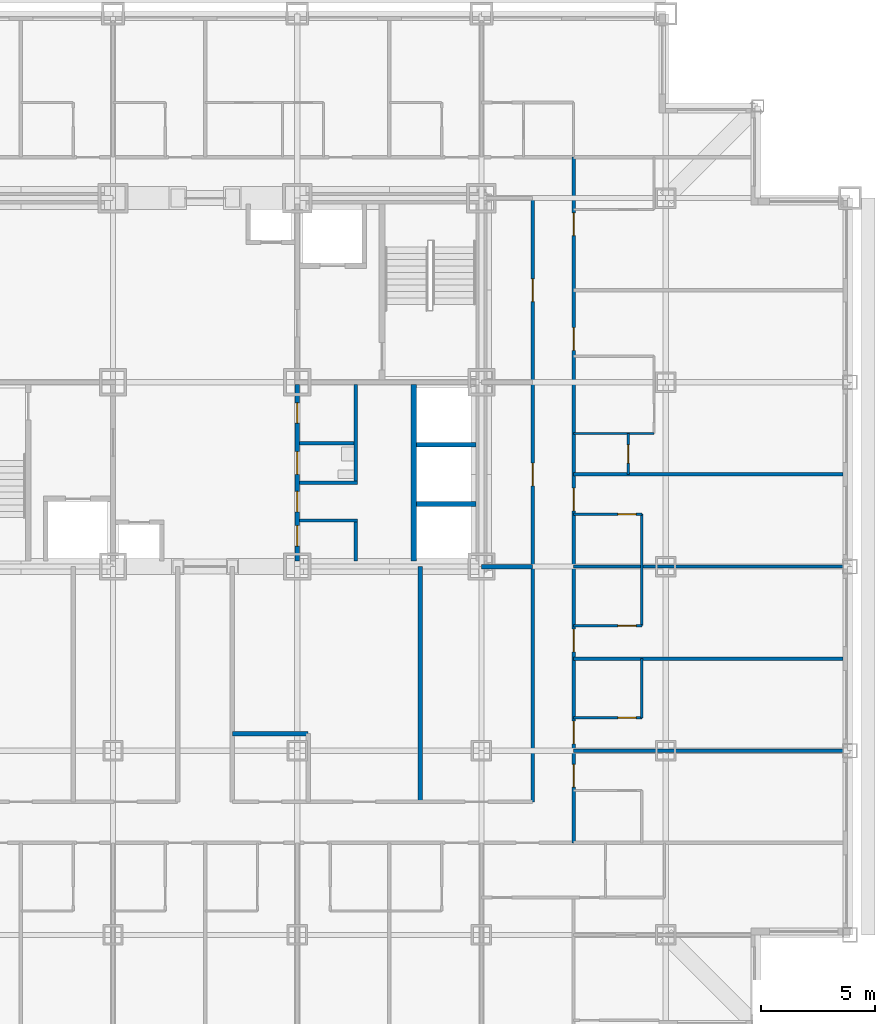
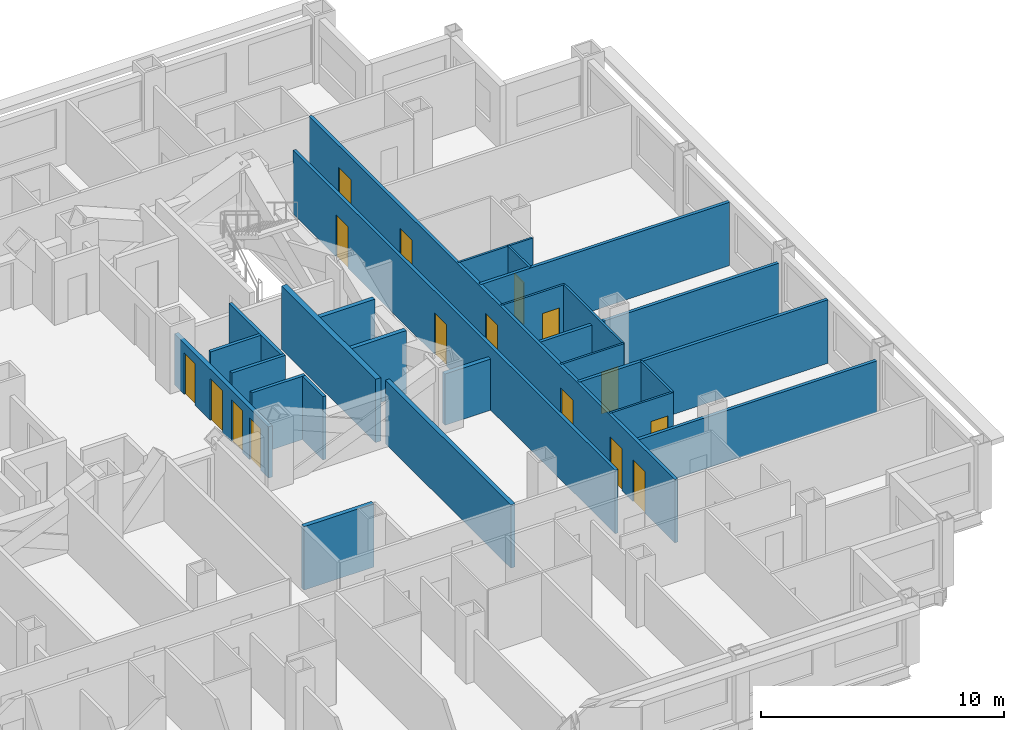
# One storey, part 7 of 13: 25 walls, 16 doors, 16 openings.
"""IFC4 building model written with IfcOpenShell, lengths in metres."""

import ifcopenshell
import ifcopenshell.guid

model = None  # the IFC model being written
_history = None  # IfcOwnerHistory: only IFC2X3 demands one
_inside = {}  # id of a spatial element -> (the spatial element, [elements in it])
_under = {}  # id of a project, library or spatial element -> (it, [spatial elements below it])
_declared = {}  # id of a project -> (the project, [libraries it declares])
_typed = {}  # id of a type object -> (the type object, [elements of that type])
_made_of = {}  # id of a material, layer set ... -> (it, [elements and type objects made of it])


def new_model(schema):
    """Start an empty IFC model of exactly this schema.

    Asked for "IFC4X3", IfcOpenShell would pick the latest addendum, in which some entities
    have other attributes; the version numbers below select the first issue.
    IFC2X3 requires an IfcOwnerHistory on every rooted entity: one is made here for all.
    """
    global model, _history
    if schema == "IFC4X3":
        model = ifcopenshell.file(schema_version=(4, 3, 0, 0))
    else:
        model = ifcopenshell.file(schema=schema)
    _inside.clear()
    _under.clear()
    _declared.clear()
    _typed.clear()
    _made_of.clear()
    _history = None
    if model.schema == "IFC2X3":
        org = make("IfcOrganization", Name="unknown")
        user = make(
            "IfcPersonAndOrganization",
            ThePerson=make("IfcPerson", FamilyName="unknown"),
            TheOrganization=org,
        )
        app = make(
            "IfcApplication",
            ApplicationDeveloper=org,
            Version="unknown",
            ApplicationFullName="unknown",
            ApplicationIdentifier="unknown",
        )
        _history = make(
            "IfcOwnerHistory",
            OwningUser=user,
            OwningApplication=app,
            ChangeAction="ADDED",
            CreationDate=0,
        )
    return model


def make(cls, **values):
    """One entity of the class cls with the attributes given. An attribute that is None is left unset."""
    return model.create_entity(
        cls, **{name: value for name, value in values.items() if value is not None}
    )


def rooted(cls, **values):
    """An entity with a GlobalId (a new one), such as an element, a storey or a relation."""
    return make(cls, GlobalId=ifcopenshell.guid.new(), OwnerHistory=_history, **values)


def si_unit(unit_type, name, prefix=None):
    """IfcSIUnit, for example si_unit("LENGTHUNIT", "METRE", prefix="MILLI")."""
    return make("IfcSIUnit", UnitType=unit_type, Prefix=prefix, Name=name)


def assignment(units):
    """IfcUnitAssignment: the units of a project."""
    return None if units is None else make("IfcUnitAssignment", Units=units)


def point(xyz):
    """IfcCartesianPoint."""
    return None if xyz is None else make("IfcCartesianPoint", Coordinates=xyz)


def direction(xyz):
    """IfcDirection."""
    return None if xyz is None else make("IfcDirection", DirectionRatios=xyz)


def frame(location, z_axis=None, x_axis=None):
    """IfcAxis2Placement3D, a coordinate frame: its origin and axes. An axis left out is left unset."""
    return make(
        "IfcAxis2Placement3D",
        Location=point(location),
        Axis=direction(z_axis),
        RefDirection=direction(x_axis),
    )


def frame_2d(location, x_axis=None):
    """IfcAxis2Placement2D, a coordinate frame in the plane: its origin and x axis."""
    return make(
        "IfcAxis2Placement2D", Location=point(location), RefDirection=direction(x_axis)
    )


def origin():
    """The frame at (0, 0, 0) with its axes left unset."""
    return frame((0.0, 0.0, 0.0))


def place(relative_to, where):
    """IfcLocalPlacement: puts the frame where relative to a parent placement (None: the world)."""
    return make(
        "IfcLocalPlacement", PlacementRelTo=relative_to, RelativePlacement=where
    )


def context(
    kind, dimensions, precision=None, world=None, true_north=None, identifier=None
):
    """IfcGeometricRepresentationContext, for example the 3D "Model" context."""
    return make(
        "IfcGeometricRepresentationContext",
        ContextIdentifier=identifier,
        ContextType=kind,
        CoordinateSpaceDimension=dimensions,
        Precision=precision,
        WorldCoordinateSystem=world,
        TrueNorth=true_north,
    )


def subcontext(parent, identifier, kind, view, scale=None):
    """IfcGeometricRepresentationSubContext, for example "Body" below "Model"."""
    return make(
        "IfcGeometricRepresentationSubContext",
        ContextIdentifier=identifier,
        ContextType=kind,
        ParentContext=parent,
        TargetScale=scale,
        TargetView=view,
    )


def project(units=None, contexts=None):
    """IfcProject with its units and contexts."""
    return rooted(
        "IfcProject",
        Name="project",
        RepresentationContexts=contexts,
        UnitsInContext=assignment(units),
    )


def spatial(cls, under=None, at=None, **own):
    """A site, building, storey or space (cls), placed at a placement, below another one or the project."""
    s = rooted(cls, ObjectPlacement=at, **own)
    if under is not None:
        _under.setdefault(under.id(), (under, []))[1].append(s)
    return s


def profile(cls, at=None, kind="AREA", **sizes):
    """A parametric profile (cls). Its sizes go by their IFC names, for example OverallWidth=200.0."""
    return make(cls, ProfileType=kind, Position=at, **sizes)


def rectangle(**sizes):
    """IfcRectangleProfileDef."""
    return profile("IfcRectangleProfileDef", **sizes)


def extrude(swept, where, along, depth):
    """IfcExtrudedAreaSolid: the profile swept, set in the frame where, extruded along a direction by depth."""
    return make(
        "IfcExtrudedAreaSolid",
        SweptArea=swept,
        Position=where,
        ExtrudedDirection=direction(along),
        Depth=depth,
    )


def shape(context_of_items, identifier, shape_type, items):
    """IfcShapeRepresentation: the items that make up one representation, for example the "Body"."""
    return make(
        "IfcShapeRepresentation",
        ContextOfItems=context_of_items,
        RepresentationIdentifier=identifier,
        RepresentationType=shape_type,
        Items=items,
    )


def material(Name=None, Category=None):
    """IfcMaterial."""
    return make("IfcMaterial", Name=Name, Category=Category)


def layer(
    of_material, thickness, ventilated=None, Name=None, Category=None, Priority=None
):
    """IfcMaterialLayer: one layer of a wall or slab, of a material (None: an air gap)."""
    return make(
        "IfcMaterialLayer",
        Material=of_material,
        LayerThickness=thickness,
        IsVentilated=ventilated,
        Name=Name,
        Category=Category,
        Priority=Priority,
    )


def layer_set(layers, Name=None):
    """IfcMaterialLayerSet."""
    return make("IfcMaterialLayerSet", MaterialLayers=layers, LayerSetName=Name)


def made_of(thing, what):
    """Note that an element or type object is made of a material, layer set ...; save() writes the relation."""
    if what is not None:
        _made_of.setdefault(what.id(), (what, []))[1].append(thing)
    return thing


def type_object(cls, material=None, **own):
    """A type object (cls), such as IfcWallType, which elements share."""
    return made_of(rooted(cls, **own), material)


def element(
    cls,
    number,
    at=None,
    inside=None,
    cuts=None,
    type_object=None,
    material=None,
    context=None,
    identifier="Body",
    shape_type=None,
    held_by="IfcProductDefinitionShape",
    body=None,
    shapes=None,
    **own,
):
    """One element of the class cls, such as IfcWall. Its Tag is "e" and its number.

    at: its placement. inside: the storey or other place that contains it. cuts: it is an
    opening in that element (IfcRelVoidsElement). A single representation is given by context,
    identifier, shape_type and body (its items); several are given by shapes. held_by: the class
    of the entity that holds the representations. save() writes the other relations.
    """
    e = rooted(cls, Tag="e%d" % number, ObjectPlacement=at, **own)
    if body is not None:
        shapes = [shape(context, identifier, shape_type, body)]
    if shapes is not None:
        e.Representation = make(held_by, Representations=shapes)
    if inside is not None:
        _inside.setdefault(inside.id(), (inside, []))[1].append(e)
    if cuts is not None:
        rooted(
            "IfcRelVoidsElement", RelatingBuildingElement=cuts, RelatedOpeningElement=e
        )
    if type_object is not None:
        _typed.setdefault(type_object.id(), (type_object, []))[1].append(e)
    return made_of(e, material)


def fill(opening, filler):
    """IfcRelFillsElement: the door or window that sits in an opening."""
    return rooted(
        "IfcRelFillsElement",
        RelatingOpeningElement=opening,
        RelatedBuildingElement=filler,
    )


def aggregate(whole, parts):
    """IfcRelAggregates: a whole, such as a stair, and the parts it consists of."""
    return rooted("IfcRelAggregates", RelatingObject=whole, RelatedObjects=parts)


def save(model, path):
    """Write the relations noted so far, then the file.

    IfcRelAggregates (storeys below a building ...), IfcRelContainedInSpatialStructure (elements
    in a storey), IfcRelDefinesByType, IfcRelAssociatesMaterial and IfcRelDeclares: one each for
    every whole, place, type object, material and project.
    """
    for whole, parts in _under.values():
        aggregate(whole, parts)
    for where, things in _inside.values():
        rooted(
            "IfcRelContainedInSpatialStructure",
            RelatedElements=things,
            RelatingStructure=where,
        )
    for kind, things in _typed.values():
        rooted("IfcRelDefinesByType", RelatedObjects=things, RelatingType=kind)
    for what, things in _made_of.values():
        rooted("IfcRelAssociatesMaterial", RelatedObjects=things, RelatingMaterial=what)
    for by, libraries in _declared.values():
        rooted("IfcRelDeclares", RelatingContext=by, RelatedDefinitions=libraries)
    model.write(path)


model = new_model("IFC4")

# Units and contexts
model_context = context("Model", 3, precision=1e-05, world=origin(), true_north=direction((0.0, 1.0)))
body_context = subcontext(model_context, "Body", "Model", "MODEL_VIEW")
ifc_project = project(units=[si_unit("LENGTHUNIT", "METRE"), si_unit("AREAUNIT", "SQUARE_METRE"), si_unit("VOLUMEUNIT", "CUBIC_METRE"), si_unit("PLANEANGLEUNIT", "RADIAN"), si_unit("MASSUNIT", "GRAM", prefix="KILO")], contexts=[model_context])

# Site, building, storey
site_placement = place(None, origin())
site = spatial("IfcSite", under=ifc_project, at=site_placement, CompositionType="ELEMENT")
building_placement = place(site_placement, origin())
building = spatial("IfcBuilding", under=site, at=building_placement, Name="Kopane Lantern Tower", CompositionType="ELEMENT")
storey_placement = place(building_placement, frame((0.0, 0.0, 67.0)))
storey = spatial("IfcBuildingStorey", under=building, at=storey_placement, Name="L16", CompositionType="ELEMENT", Elevation=67.0)

# Wall
ifc_material_1 = material(Name="Moisture-resistant board on steel studs", Category="steel")
ifc_layer_1 = layer(ifc_material_1, 0.10009765625)
ifc_layer_set_1 = layer_set([ifc_layer_1], Name="BATHROOM WALL 100")
wall_type_1 = type_object("IfcWallType", Name="BATHROOM WALL 100", PredefinedType="PARTITIONING", material=ifc_layer_set_1)
wall_1_placement = place(storey_placement, frame((47.550048828125, 17.64990234375, 0.0), z_axis=(0.0, 0.0, 1.0), x_axis=(0.0, 1.0, 0.0)))
element("IfcWall", 1, at=wall_1_placement, inside=storey, type_object=wall_type_1, Name="Bathroom Wall 100 L16", PredefinedType="PARTITIONING", context=body_context, shape_type="SweptSolid", body=[
    extrude(rectangle(XDim=2.60009765625, YDim=0.10009765625, at=frame_2d((1.300048828125, 0.0))), origin(), (0.0, 0.0, 1.0), 3.18994140625),
])

# Wall, opening, door
wall_2_placement = place(storey_placement, frame((44.550048828125, 17.64990234375, 0.0), z_axis=(0.0, 0.0, 1.0), x_axis=(1.0, 0.0, 0.0)))
wall_2 = element("IfcWall", 2, at=wall_2_placement, inside=storey, type_object=wall_type_1, Name="Bathroom Wall 100 L16", PredefinedType="PARTITIONING", context=body_context, shape_type="SweptSolid", body=[
    extrude(rectangle(XDim=3.0, YDim=0.10009765625, at=frame_2d((1.5, 0.0))), origin(), (0.0, 0.0, 1.0), 3.18994140625),
])
opening_1_placement = place(wall_2_placement, frame((1.949951171875, 0.0, 0.0)))
opening_1 = element("IfcOpeningElement", 3, at=opening_1_placement, cuts=wall_2, Name="Opening L16-056", PredefinedType="OPENING", context=body_context, shape_type="SweptSolid", body=[
    extrude(rectangle(XDim=0.800048828125, YDim=2.10009765625, at=frame_2d((0.39990234375, 1.050048828125))), frame((0.0, 0.06005859375, 0.0), z_axis=(0.0, -1.0, 0.0), x_axis=(1.0, 0.0, 0.0)), (0.0, 0.0, 1.0), 0.1201171875),
])
ifc_material_2 = material(Name="Timber door set", Category="wood")
door_type_1 = type_object("IfcDoorType", Name="DOOR D2 800x2100", OperationType="SINGLE_SWING_LEFT", PredefinedType="DOOR", material=ifc_material_2)
door_1_placement = place(opening_1_placement, origin())
door_1 = element("IfcDoor", 4, at=door_1_placement, inside=storey, type_object=door_type_1, Name="Door L16-056", OperationType="SINGLE_SWING_RIGHT", OverallHeight=2.10009765625, OverallWidth=0.800048828125, PredefinedType="DOOR", context=body_context, shape_type="SweptSolid", body=[
    extrude(rectangle(XDim=0.800048828125, YDim=2.10009765625, at=frame_2d((0.39990234375, 1.050048828125))), frame((0.0, 0.02490234375, 0.0), z_axis=(0.0, -1.0, 0.0), x_axis=(1.0, 0.0, 0.0)), (0.0, 0.0, 1.0), 0.050048828125),
])
fill(opening_1, door_1)

# Wall
wall_3_placement = place(storey_placement, frame((47.550048828125, 21.699951171875, 0.0), z_axis=(0.0, 0.0, 1.0), x_axis=(0.0, 1.0, 0.0)))
element("IfcWall", 5, at=wall_3_placement, inside=storey, type_object=wall_type_1, Name="Bathroom Wall 100 L16", PredefinedType="PARTITIONING", context=body_context, shape_type="SweptSolid", body=[
    extrude(rectangle(XDim=4.900146484375, YDim=0.10009765625, at=frame_2d((2.4501953125, 0.0))), origin(), (0.0, 0.0, 1.0), 3.18994140625),
])

# Wall, opening, door
wall_4_placement = place(storey_placement, frame((44.550048828125, 21.699951171875, 0.0), z_axis=(0.0, 0.0, 1.0), x_axis=(1.0, 0.0, 0.0)))
wall_4 = element("IfcWall", 6, at=wall_4_placement, inside=storey, type_object=wall_type_1, Name="Bathroom Wall 100 L16", PredefinedType="PARTITIONING", context=body_context, shape_type="SweptSolid", body=[
    extrude(rectangle(XDim=3.0, YDim=0.10009765625, at=frame_2d((1.5, 0.0))), origin(), (0.0, 0.0, 1.0), 3.18994140625),
])
opening_2_placement = place(wall_4_placement, frame((1.949951171875, 0.0, 0.0)))
opening_2 = element("IfcOpeningElement", 7, at=opening_2_placement, cuts=wall_4, Name="Opening L16-058", PredefinedType="OPENING", context=body_context, shape_type="SweptSolid", body=[
    extrude(rectangle(XDim=0.800048828125, YDim=2.10009765625, at=frame_2d((0.39990234375, 1.050048828125))), frame((0.0, 0.06005859375, 0.0), z_axis=(0.0, -1.0, 0.0), x_axis=(1.0, 0.0, 0.0)), (0.0, 0.0, 1.0), 0.1201171875),
])
door_2_placement = place(opening_2_placement, origin())
door_2 = element("IfcDoor", 8, at=door_2_placement, inside=storey, type_object=door_type_1, Name="Door L16-058", OperationType="SINGLE_SWING_RIGHT", OverallHeight=2.10009765625, OverallWidth=0.800048828125, PredefinedType="DOOR", context=body_context, shape_type="SweptSolid", body=[
    extrude(rectangle(XDim=0.800048828125, YDim=2.10009765625, at=frame_2d((0.39990234375, 1.050048828125))), frame((0.0, 0.02490234375, 0.0), z_axis=(0.0, -1.0, 0.0), x_axis=(1.0, 0.0, 0.0)), (0.0, 0.0, 1.0), 0.050048828125),
])
fill(opening_2, door_2)

wall_5_placement = place(storey_placement, frame((44.550048828125, 26.60009765625, 0.0), z_axis=(0.0, 0.0, 1.0), x_axis=(1.0, 0.0, 0.0)))
wall_5 = element("IfcWall", 9, at=wall_5_placement, inside=storey, type_object=wall_type_1, Name="Bathroom Wall 100 L16", PredefinedType="PARTITIONING", context=body_context, shape_type="SweptSolid", body=[
    extrude(rectangle(XDim=3.0, YDim=0.10009765625, at=frame_2d((1.5, 0.0))), origin(), (0.0, 0.0, 1.0), 3.18994140625),
])
opening_3_placement = place(wall_5_placement, frame((1.949951171875, 0.0, 0.0)))
opening_3 = element("IfcOpeningElement", 10, at=opening_3_placement, cuts=wall_5, Name="Opening L16-060", PredefinedType="OPENING", context=body_context, shape_type="SweptSolid", body=[
    extrude(rectangle(XDim=0.800048828125, YDim=2.10009765625, at=frame_2d((0.39990234375, 1.050048828125))), frame((0.0, 0.06005859375, 0.0), z_axis=(0.0, -1.0, 0.0), x_axis=(1.0, 0.0, 0.0)), (0.0, 0.0, 1.0), 0.1201171875),
])
door_3_placement = place(opening_3_placement, origin())
door_3 = element("IfcDoor", 11, at=door_3_placement, inside=storey, type_object=door_type_1, Name="Door L16-060", OperationType="SINGLE_SWING_LEFT", OverallHeight=2.10009765625, OverallWidth=0.800048828125, PredefinedType="DOOR", context=body_context, shape_type="SweptSolid", body=[
    extrude(rectangle(XDim=0.800048828125, YDim=2.10009765625, at=frame_2d((0.39990234375, 1.050048828125))), frame((0.0, 0.02490234375, 0.0), z_axis=(0.0, -1.0, 0.0), x_axis=(1.0, 0.0, 0.0)), (0.0, 0.0, 1.0), 0.050048828125),
])
fill(opening_3, door_3)

wall_6_placement = place(storey_placement, frame((46.949951171875, 28.35009765625, 0.0), z_axis=(0.0, 0.0, 1.0), x_axis=(0.0, 1.0, 0.0)))
wall_6 = element("IfcWall", 12, at=wall_6_placement, inside=storey, type_object=wall_type_1, Name="Bathroom Wall 100 L16", PredefinedType="PARTITIONING", context=body_context, shape_type="SweptSolid", body=[
    extrude(rectangle(XDim=1.7998046875, YDim=0.10009765625, at=frame_2d((0.89990234375, 0.0))), origin(), (0.0, 0.0, 1.0), 3.18994140625),
])
opening_4_placement = place(wall_6_placement, frame((0.5, 0.0, 0.0)))
opening_4 = element("IfcOpeningElement", 13, at=opening_4_placement, cuts=wall_6, Name="Opening L16-063", PredefinedType="OPENING", context=body_context, shape_type="SweptSolid", body=[
    extrude(rectangle(XDim=0.800048828125, YDim=2.10009765625, at=frame_2d((0.39990234375, 1.050048828125))), frame((0.0, 0.06005859375, 0.0), z_axis=(0.0, -1.0, 0.0), x_axis=(1.0, 0.0, 0.0)), (0.0, 0.0, 1.0), 0.1201171875),
])
door_4_placement = place(opening_4_placement, origin())
door_4 = element("IfcDoor", 14, at=door_4_placement, inside=storey, type_object=door_type_1, Name="Door L16-063", OperationType="SINGLE_SWING_LEFT", OverallHeight=2.10009765625, OverallWidth=0.800048828125, PredefinedType="DOOR", context=body_context, shape_type="SweptSolid", body=[
    extrude(rectangle(XDim=0.800048828125, YDim=2.10009765625, at=frame_2d((0.39990234375, 1.050048828125))), frame((0.0, 0.02490234375, 0.0), z_axis=(0.0, -1.0, 0.0), x_axis=(1.0, 0.0, 0.0)), (0.0, 0.0, 1.0), 0.050048828125),
])
fill(opening_4, door_4)

# Walls
wall_7_placement = place(storey_placement, frame((44.550048828125, 30.14990234375, 0.0), z_axis=(0.0, 0.0, 1.0), x_axis=(1.0, 0.0, 0.0)))
element("IfcWall", 15, at=wall_7_placement, inside=storey, type_object=wall_type_1, Name="Bathroom Wall 100 L16", PredefinedType="PARTITIONING", context=body_context, shape_type="SweptSolid", body=[
    extrude(rectangle(XDim=3.5400390625, YDim=0.10009765625, at=frame_2d((1.77001953125, 0.0))), origin(), (0.0, 0.0, 1.0), 3.18994140625),
])
ifc_material_3 = material(Name="Gypsum partition EI 60", Category="gypsum")
ifc_layer_2 = layer(ifc_material_3, 0.14990234375)
ifc_layer_set_2 = layer_set([ifc_layer_2], Name="CORE ROOM PARTITION 150 EI 60")
wall_type_2 = type_object("IfcWallType", Name="CORE ROOM PARTITION 150 EI 60", PredefinedType="PARTITIONING", material=ifc_layer_set_2)
for number, where, z_axis, x_axis, name in (
    (16, (32.5, 26.324951171875, 0.0), (0.0, 0.0, 1.0), (1.0, 0.0, 0.0), "Core room partition L16 E1"),
    (17, (32.5, 27.97509765625, 0.0), (0.0, 0.0, 1.0), (1.0, 0.0, 0.0), "Core room partition L16 E2"),
):
    element("IfcWall", number, at=place(storey_placement, frame(where, z_axis=z_axis, x_axis=x_axis)), inside=storey, type_object=wall_type_2, Name=name, PredefinedType="PARTITIONING", context=body_context, shape_type="SweptSolid", body=[
        extrude(rectangle(XDim=2.550048828125, YDim=0.14990234375, at=frame_2d((1.27490234375, 0.0))), origin(), (0.0, 0.0, 1.0), 3.18994140625),
    ])
wall_8_placement = place(storey_placement, frame((32.5, 29.72509765625, 0.0), z_axis=(0.0, 0.0, 1.0), x_axis=(1.0, 0.0, 0.0)))
element("IfcWall", 18, at=wall_8_placement, inside=storey, type_object=wall_type_2, Name="Core room partition L16 E3", PredefinedType="PARTITIONING", context=body_context, shape_type="SweptSolid", body=[
    extrude(rectangle(XDim=2.39990234375, YDim=0.14990234375, at=frame_2d((1.199951171875, 0.0))), origin(), (0.0, 0.0, 1.0), 3.18994140625),
])
wall_9_placement = place(storey_placement, frame((34.97509765625, 24.550048828125, 0.0), z_axis=(0.0, 0.0, 1.0), x_axis=(0.0, 1.0, 0.0)))
element("IfcWall", 19, at=wall_9_placement, inside=storey, type_object=wall_type_2, Name="Core room partition L16 EB0", PredefinedType="PARTITIONING", context=body_context, shape_type="SweptSolid", body=[
    extrude(rectangle(XDim=1.699951171875, YDim=0.14990234375, at=frame_2d((0.85009765625, 0.0))), origin(), (0.0, 0.0, 1.0), 3.18994140625),
])
wall_10_placement = place(storey_placement, frame((34.97509765625, 28.050048828125, 0.0), z_axis=(0.0, 0.0, 1.0), x_axis=(0.0, 1.0, 0.0)))
element("IfcWall", 20, at=wall_10_placement, inside=storey, type_object=wall_type_2, Name="Core room partition L16 EB1", PredefinedType="PARTITIONING", context=body_context, shape_type="SweptSolid", body=[
    extrude(rectangle(XDim=4.25, YDim=0.14990234375, at=frame_2d((2.125, 0.0))), origin(), (0.0, 0.0, 1.0), 3.18994140625),
])

# Wall, openings, doors
ifc_material_4 = material(Name="Gypsum partition EI 60", Category="gypsum")
ifc_layer_3 = layer(ifc_material_4, 0.199951171875)
ifc_layer_set_3 = layer_set([ifc_layer_3], Name="CORE ROOM WALL 200 EI 60")
wall_type_3 = type_object("IfcWallType", Name="CORE ROOM WALL 200 EI 60", PredefinedType="PARTITIONING", material=ifc_layer_set_3)
wall_11_placement = place(storey_placement, frame((32.39990234375, 24.550048828125, 0.0), z_axis=(0.0, 0.0, 1.0), x_axis=(0.0, 1.0, 0.0)))
wall_11 = element("IfcWall", 21, at=wall_11_placement, inside=storey, type_object=wall_type_3, Name="Core room wall L16 XE", PredefinedType="PARTITIONING", context=body_context, shape_type="SweptSolid", body=[
    extrude(rectangle(XDim=7.75, YDim=0.199951171875, at=frame_2d((3.875, 0.0))), origin(), (0.0, 0.0, 1.0), 2.577880859375),
])
opening_5_placement = place(wall_11_placement, frame((0.64990234375, 0.0, 0.0)))
opening_5 = element("IfcOpeningElement", 22, at=opening_5_placement, cuts=wall_11, Name="Opening 16.C20", PredefinedType="OPENING", context=body_context, shape_type="SweptSolid", body=[
    extrude(rectangle(XDim=0.89990234375, YDim=2.10009765625, at=frame_2d((0.449951171875, 1.050048828125))), frame((0.0, 0.10986328125, 0.0), z_axis=(0.0, -1.0, 0.0), x_axis=(1.0, 0.0, 0.0)), (0.0, 0.0, 1.0), 0.219970703125),
])
opening_6_placement = place(wall_11_placement, frame((2.14990234375, 0.0, 0.0)))
opening_6 = element("IfcOpeningElement", 23, at=opening_6_placement, cuts=wall_11, Name="Opening 16.C21", PredefinedType="OPENING", context=body_context, shape_type="SweptSolid", body=[
    extrude(rectangle(XDim=0.89990234375, YDim=2.10009765625, at=frame_2d((0.449951171875, 1.050048828125))), frame((0.0, 0.10986328125, 0.0), z_axis=(0.0, -1.0, 0.0), x_axis=(1.0, 0.0, 0.0)), (0.0, 0.0, 1.0), 0.219970703125),
])
opening_7_placement = place(wall_11_placement, frame((3.800048828125, 0.0, 0.0)))
opening_7 = element("IfcOpeningElement", 24, at=opening_7_placement, cuts=wall_11, Name="Opening 16.C22", PredefinedType="OPENING", context=body_context, shape_type="SweptSolid", body=[
    extrude(rectangle(XDim=1.0, YDim=2.10009765625, at=frame_2d((0.5, 1.050048828125))), frame((0.0, 0.10986328125, 0.0), z_axis=(0.0, -1.0, 0.0), x_axis=(1.0, 0.0, 0.0)), (0.0, 0.0, 1.0), 0.219970703125),
])
opening_8_placement = place(wall_11_placement, frame((6.050048828125, 0.0, 0.0)))
opening_8 = element("IfcOpeningElement", 25, at=opening_8_placement, cuts=wall_11, Name="Opening 16.C23", PredefinedType="OPENING", context=body_context, shape_type="SweptSolid", body=[
    extrude(rectangle(XDim=0.89990234375, YDim=2.10009765625, at=frame_2d((0.449951171875, 1.050048828125))), frame((0.0, 0.10986328125, 0.0), z_axis=(0.0, -1.0, 0.0), x_axis=(1.0, 0.0, 0.0)), (0.0, 0.0, 1.0), 0.219970703125),
])
ifc_material_5 = material(Name="Steel door set", Category="steel")
door_type_2 = type_object("IfcDoorType", Name="CORE ROOM DOOR 1000x2100 FD30S", OperationType="SINGLE_SWING_RIGHT", PredefinedType="DOOR", material=ifc_material_5)
door_5_placement = place(opening_7_placement, origin())
door_5 = element("IfcDoor", 26, at=door_5_placement, inside=storey, type_object=door_type_2, Name="Door Staff WC L16", OperationType="SINGLE_SWING_RIGHT", OverallHeight=2.10009765625, OverallWidth=1.0, PredefinedType="DOOR", context=body_context, shape_type="SweptSolid", body=[
    extrude(rectangle(XDim=1.0, YDim=2.10009765625, at=frame_2d((0.5, 1.050048828125))), frame((0.0, 0.02490234375, 0.0), z_axis=(0.0, -1.0, 0.0), x_axis=(1.0, 0.0, 0.0)), (0.0, 0.0, 1.0), 0.050048828125),
])
fill(opening_7, door_5)
ifc_material_6 = material(Name="Steel door set", Category="steel")
door_type_3 = type_object("IfcDoorType", Name="CORE ROOM DOOR 900x2100 FD60", OperationType="SINGLE_SWING_LEFT", PredefinedType="DOOR", material=ifc_material_6)
door_6_placement = place(opening_5_placement, origin())
door_6 = element("IfcDoor", 27, at=door_6_placement, inside=storey, type_object=door_type_3, Name="Door Cleaner store L16", OperationType="SINGLE_SWING_LEFT", OverallHeight=2.10009765625, OverallWidth=0.89990234375, PredefinedType="DOOR", context=body_context, shape_type="SweptSolid", body=[
    extrude(rectangle(XDim=0.89990234375, YDim=2.10009765625, at=frame_2d((0.449951171875, 1.050048828125))), frame((0.0, 0.02490234375, 0.0), z_axis=(0.0, -1.0, 0.0), x_axis=(1.0, 0.0, 0.0)), (0.0, 0.0, 1.0), 0.050048828125),
])
fill(opening_5, door_6)
door_7_placement = place(opening_6_placement, origin())
door_7 = element("IfcDoor", 28, at=door_7_placement, inside=storey, type_object=door_type_3, Name="Door Housekeeping store L16", OperationType="SINGLE_SWING_LEFT", OverallHeight=2.10009765625, OverallWidth=0.89990234375, PredefinedType="DOOR", context=body_context, shape_type="SweptSolid", body=[
    extrude(rectangle(XDim=0.89990234375, YDim=2.10009765625, at=frame_2d((0.449951171875, 1.050048828125))), frame((0.0, 0.02490234375, 0.0), z_axis=(0.0, -1.0, 0.0), x_axis=(1.0, 0.0, 0.0)), (0.0, 0.0, 1.0), 0.050048828125),
])
fill(opening_6, door_7)
door_8_placement = place(opening_8_placement, origin())
door_8 = element("IfcDoor", 29, at=door_8_placement, inside=storey, type_object=door_type_3, Name="Door IT room L16", OperationType="SINGLE_SWING_LEFT", OverallHeight=2.10009765625, OverallWidth=0.89990234375, PredefinedType="DOOR", context=body_context, shape_type="SweptSolid", body=[
    extrude(rectangle(XDim=0.89990234375, YDim=2.10009765625, at=frame_2d((0.449951171875, 1.050048828125))), frame((0.0, 0.02490234375, 0.0), z_axis=(0.0, -1.0, 0.0), x_axis=(1.0, 0.0, 0.0)), (0.0, 0.0, 1.0), 0.050048828125),
])
fill(opening_8, door_8)

# Wall
ifc_material_7 = material(Name="Gypsum shaft wall EI 120", Category="gypsum")
ifc_layer_4 = layer(ifc_material_7, 0.25)
ifc_layer_set_4 = layer_set([ifc_layer_4], Name="CORE SHAFT WALL 250 EI 120")
wall_type_4 = type_object("IfcWallType", Name="CORE SHAFT WALL 250 EI 120", PredefinedType="SOLIDWALL", material=ifc_layer_set_4)
wall_12_placement = place(storey_placement, frame((37.52490234375, 24.550048828125, 0.0), z_axis=(0.0, 0.0, 1.0), x_axis=(0.0, 1.0, 0.0)))
element("IfcWall", 30, at=wall_12_placement, inside=storey, type_object=wall_type_4, Name="Core shaft wall L16 XLR", PredefinedType="SOLIDWALL", context=body_context, shape_type="SweptSolid", body=[
    extrude(rectangle(XDim=7.75, YDim=0.25, at=frame_2d((3.875, 0.0))), origin(), (0.0, 0.0, 1.0), 3.18994140625),
])

# Wall, openings, doors
ifc_material_8 = material(Name="Gypsum board on steel studs", Category="steel")
ifc_layer_5 = layer(ifc_material_8, 0.14990234375)
ifc_layer_set_5 = layer_set([ifc_layer_5], Name="CORRIDOR WALL 150 EI 60")
wall_type_5 = type_object("IfcWallType", Name="CORRIDOR WALL 150 EI 60", PredefinedType="PARTITIONING", material=ifc_layer_set_5)
wall_13_placement = place(storey_placement, frame((44.550048828125, 12.14990234375, 0.0), z_axis=(0.0, 0.0, 1.0), x_axis=(0.0, 1.0, 0.0)))
wall_13 = element("IfcWall", 31, at=wall_13_placement, inside=storey, type_object=wall_type_5, Name="Corridor Wall 150 Ei 60 L16", PredefinedType="PARTITIONING", context=body_context, shape_type="SweptSolid", body=[
    extrude(rectangle(XDim=30.150146484375, YDim=0.14990234375, at=frame_2d((15.0751953125, 0.0))), origin(), (0.0, 0.0, 1.0), 3.18994140625),
])
opening_9_placement = place(wall_13_placement, frame((2.449951171875, 0.0, 0.0)))
opening_9 = element("IfcOpeningElement", 32, at=opening_9_placement, cuts=wall_13, Name="Opening L16-055", PredefinedType="OPENING", context=body_context, shape_type="SweptSolid", body=[
    extrude(rectangle(XDim=1.0, YDim=2.10009765625, at=frame_2d((0.5, 1.050048828125))), frame((0.0, 0.0849609375, 0.0), z_axis=(0.0, -1.0, 0.0), x_axis=(1.0, 0.0, 0.0)), (0.0, 0.0, 1.0), 0.169921875),
])
opening_10_placement = place(wall_13_placement, frame((4.35009765625, 0.0, 0.0)))
opening_10 = element("IfcOpeningElement", 33, at=opening_10_placement, cuts=wall_13, Name="Opening L16-057", PredefinedType="OPENING", context=body_context, shape_type="SweptSolid", body=[
    extrude(rectangle(XDim=1.0, YDim=2.10009765625, at=frame_2d((0.5, 1.050048828125))), frame((0.0, 0.0849609375, 0.0), z_axis=(0.0, -1.0, 0.0), x_axis=(1.0, 0.0, 0.0)), (0.0, 0.0, 1.0), 0.169921875),
])
opening_11_placement = place(wall_13_placement, frame((8.39990234375, 0.0, 0.0)))
opening_11 = element("IfcOpeningElement", 34, at=opening_11_placement, cuts=wall_13, Name="Opening L16-059", PredefinedType="OPENING", context=body_context, shape_type="SweptSolid", body=[
    extrude(rectangle(XDim=1.0, YDim=2.10009765625, at=frame_2d((0.5, 1.050048828125))), frame((0.0, 0.0849609375, 0.0), z_axis=(0.0, -1.0, 0.0), x_axis=(1.0, 0.0, 0.0)), (0.0, 0.0, 1.0), 0.169921875),
])
opening_12_placement = place(wall_13_placement, frame((14.60009765625, 0.0, 0.0)))
opening_12 = element("IfcOpeningElement", 35, at=opening_12_placement, cuts=wall_13, Name="Opening L16-061", PredefinedType="OPENING", context=body_context, shape_type="SweptSolid", body=[
    extrude(rectangle(XDim=1.0, YDim=2.10009765625, at=frame_2d((0.5, 1.050048828125))), frame((0.0, 0.0849609375, 0.0), z_axis=(0.0, -1.0, 0.0), x_axis=(1.0, 0.0, 0.0)), (0.0, 0.0, 1.0), 0.169921875),
])
opening_13_placement = place(wall_13_placement, frame((21.64990234375, 0.0, 0.0)))
opening_13 = element("IfcOpeningElement", 36, at=opening_13_placement, cuts=wall_13, Name="Opening L16-064", PredefinedType="OPENING", context=body_context, shape_type="SweptSolid", body=[
    extrude(rectangle(XDim=1.0, YDim=2.10009765625, at=frame_2d((0.5, 1.050048828125))), frame((0.0, 0.0849609375, 0.0), z_axis=(0.0, -1.0, 0.0), x_axis=(1.0, 0.0, 0.0)), (0.0, 0.0, 1.0), 0.169921875),
])
opening_14_placement = place(wall_13_placement, frame((26.699951171875, 0.0, 0.0)))
opening_14 = element("IfcOpeningElement", 37, at=opening_14_placement, cuts=wall_13, Name="Opening L16-066", PredefinedType="OPENING", context=body_context, shape_type="SweptSolid", body=[
    extrude(rectangle(XDim=1.0, YDim=2.10009765625, at=frame_2d((0.5, 1.050048828125))), frame((0.0, 0.0849609375, 0.0), z_axis=(0.0, -1.0, 0.0), x_axis=(1.0, 0.0, 0.0)), (0.0, 0.0, 1.0), 0.169921875),
])
ifc_material_9 = material(Name="Steel door set", Category="steel")
door_type_4 = type_object("IfcDoorType", Name="DOOR D1 1000x2100 FD30S", OperationType="SINGLE_SWING_LEFT", PredefinedType="DOOR", material=ifc_material_9)
door_9_placement = place(opening_9_placement, origin())
door_9 = element("IfcDoor", 38, at=door_9_placement, inside=storey, type_object=door_type_4, Name="Door L16-055", OperationType="SINGLE_SWING_RIGHT", OverallHeight=2.10009765625, OverallWidth=1.0, PredefinedType="DOOR", context=body_context, shape_type="SweptSolid", body=[
    extrude(rectangle(XDim=1.0, YDim=2.10009765625, at=frame_2d((0.5, 1.050048828125))), frame((0.0, 0.02490234375, 0.0), z_axis=(0.0, -1.0, 0.0), x_axis=(1.0, 0.0, 0.0)), (0.0, 0.0, 1.0), 0.050048828125),
])
fill(opening_9, door_9)
door_10_placement = place(opening_10_placement, origin())
door_10 = element("IfcDoor", 39, at=door_10_placement, inside=storey, type_object=door_type_4, Name="Door L16-057", OperationType="SINGLE_SWING_LEFT", OverallHeight=2.10009765625, OverallWidth=1.0, PredefinedType="DOOR", context=body_context, shape_type="SweptSolid", body=[
    extrude(rectangle(XDim=1.0, YDim=2.10009765625, at=frame_2d((0.5, 1.050048828125))), frame((0.0, 0.02490234375, 0.0), z_axis=(0.0, -1.0, 0.0), x_axis=(1.0, 0.0, 0.0)), (0.0, 0.0, 1.0), 0.050048828125),
])
fill(opening_10, door_10)
door_11_placement = place(opening_11_placement, origin())
door_11 = element("IfcDoor", 40, at=door_11_placement, inside=storey, type_object=door_type_4, Name="Door L16-059", OperationType="SINGLE_SWING_LEFT", OverallHeight=2.10009765625, OverallWidth=1.0, PredefinedType="DOOR", context=body_context, shape_type="SweptSolid", body=[
    extrude(rectangle(XDim=1.0, YDim=2.10009765625, at=frame_2d((0.5, 1.050048828125))), frame((0.0, 0.02490234375, 0.0), z_axis=(0.0, -1.0, 0.0), x_axis=(1.0, 0.0, 0.0)), (0.0, 0.0, 1.0), 0.050048828125),
])
fill(opening_11, door_11)
door_12_placement = place(opening_12_placement, origin())
door_12 = element("IfcDoor", 41, at=door_12_placement, inside=storey, type_object=door_type_4, Name="Door L16-061", OperationType="SINGLE_SWING_RIGHT", OverallHeight=2.10009765625, OverallWidth=1.0, PredefinedType="DOOR", context=body_context, shape_type="SweptSolid", body=[
    extrude(rectangle(XDim=1.0, YDim=2.10009765625, at=frame_2d((0.5, 1.050048828125))), frame((0.0, 0.02490234375, 0.0), z_axis=(0.0, -1.0, 0.0), x_axis=(1.0, 0.0, 0.0)), (0.0, 0.0, 1.0), 0.050048828125),
])
fill(opening_12, door_12)
door_13_placement = place(opening_13_placement, origin())
door_13 = element("IfcDoor", 42, at=door_13_placement, inside=storey, type_object=door_type_4, Name="Door L16-064", OperationType="SINGLE_SWING_RIGHT", OverallHeight=2.10009765625, OverallWidth=1.0, PredefinedType="DOOR", context=body_context, shape_type="SweptSolid", body=[
    extrude(rectangle(XDim=1.0, YDim=2.10009765625, at=frame_2d((0.5, 1.050048828125))), frame((0.0, 0.02490234375, 0.0), z_axis=(0.0, -1.0, 0.0), x_axis=(1.0, 0.0, 0.0)), (0.0, 0.0, 1.0), 0.050048828125),
])
fill(opening_13, door_13)
door_14_placement = place(opening_14_placement, origin())
door_14 = element("IfcDoor", 43, at=door_14_placement, inside=storey, type_object=door_type_4, Name="Door L16-066", OperationType="SINGLE_SWING_LEFT", OverallHeight=2.10009765625, OverallWidth=1.0, PredefinedType="DOOR", context=body_context, shape_type="SweptSolid", body=[
    extrude(rectangle(XDim=1.0, YDim=2.10009765625, at=frame_2d((0.5, 1.050048828125))), frame((0.0, 0.02490234375, 0.0), z_axis=(0.0, -1.0, 0.0), x_axis=(1.0, 0.0, 0.0)), (0.0, 0.0, 1.0), 0.050048828125),
])
fill(opening_14, door_14)

wall_14_placement = place(storey_placement, frame((42.75, 13.949951171875, 0.0), z_axis=(0.0, 0.0, 1.0), x_axis=(0.0, 1.0, 0.0)))
wall_14 = element("IfcWall", 44, at=wall_14_placement, inside=storey, type_object=wall_type_5, Name="Corridor Wall 150 Ei 60 L16", PredefinedType="PARTITIONING", context=body_context, shape_type="SweptSolid", body=[
    extrude(rectangle(XDim=26.550048828125, YDim=0.14990234375, at=frame_2d((13.27490234375, 0.0))), origin(), (0.0, 0.0, 1.0), 3.18994140625),
])
opening_15_placement = place(wall_14_placement, frame((13.89990234375, 0.0, 0.0)))
opening_15 = element("IfcOpeningElement", 45, at=opening_15_placement, cuts=wall_14, Name="Opening L16-005", PredefinedType="OPENING", context=body_context, shape_type="SweptSolid", body=[
    extrude(rectangle(XDim=1.0, YDim=2.10009765625, at=frame_2d((0.5, 1.050048828125))), frame((0.0, 0.0849609375, 0.0), z_axis=(0.0, -1.0, 0.0), x_axis=(1.0, 0.0, 0.0)), (0.0, 0.0, 1.0), 0.169921875),
])
opening_16_placement = place(wall_14_placement, frame((22.0, 0.0, 0.0)))
opening_16 = element("IfcOpeningElement", 46, at=opening_16_placement, cuts=wall_14, Name="Opening L16-006", PredefinedType="OPENING", context=body_context, shape_type="SweptSolid", body=[
    extrude(rectangle(XDim=1.0, YDim=2.10009765625, at=frame_2d((0.5, 1.050048828125))), frame((0.0, 0.0849609375, 0.0), z_axis=(0.0, -1.0, 0.0), x_axis=(1.0, 0.0, 0.0)), (0.0, 0.0, 1.0), 0.169921875),
])
ifc_material_10 = material(Name="Steel door set", Category="steel")
door_type_5 = type_object("IfcDoorType", Name="DOOR D5 1000x2100 FD60", OperationType="SINGLE_SWING_LEFT", PredefinedType="DOOR", material=ifc_material_10)
door_15_placement = place(opening_15_placement, origin())
door_15 = element("IfcDoor", 47, at=door_15_placement, inside=storey, type_object=door_type_5, Name="Door L16-005", OperationType="SINGLE_SWING_LEFT", OverallHeight=2.10009765625, OverallWidth=1.0, PredefinedType="DOOR", context=body_context, shape_type="SweptSolid", body=[
    extrude(rectangle(XDim=1.0, YDim=2.10009765625, at=frame_2d((0.5, 1.050048828125))), frame((0.0, 0.02490234375, 0.0), z_axis=(0.0, -1.0, 0.0), x_axis=(1.0, 0.0, 0.0)), (0.0, 0.0, 1.0), 0.050048828125),
])
fill(opening_15, door_15)
door_16_placement = place(opening_16_placement, origin())
door_16 = element("IfcDoor", 48, at=door_16_placement, inside=storey, type_object=door_type_5, Name="Door L16-006", OperationType="SINGLE_SWING_RIGHT", OverallHeight=2.10009765625, OverallWidth=1.0, PredefinedType="DOOR", context=body_context, shape_type="SweptSolid", body=[
    extrude(rectangle(XDim=1.0, YDim=2.10009765625, at=frame_2d((0.5, 1.050048828125))), frame((0.0, 0.02490234375, 0.0), z_axis=(0.0, -1.0, 0.0), x_axis=(1.0, 0.0, 0.0)), (0.0, 0.0, 1.0), 0.050048828125),
])
fill(opening_16, door_16)

# Walls
ifc_material_11 = material(Name="Gypsum board on steel studs", Category="steel")
ifc_layer_6 = layer(ifc_material_11, 0.14990234375)
ifc_layer_set_6 = layer_set([ifc_layer_6], Name="DEMISING WALL 150 EI 60")
wall_type_6 = type_object("IfcWallType", Name="DEMISING WALL 150 EI 60", PredefinedType="PARTITIONING", material=ifc_layer_set_6)
wall_15_placement = place(storey_placement, frame((44.550048828125, 16.199951171875, 0.0), z_axis=(0.0, 0.0, 1.0), x_axis=(1.0, 0.0, 0.0)))
element("IfcWall", 49, at=wall_15_placement, inside=storey, type_object=wall_type_6, Name="Demising Wall 150 Ei 60 L16", PredefinedType="PARTITIONING", context=body_context, shape_type="SweptSolid", body=[
    extrude(rectangle(XDim=11.849853515625, YDim=0.14990234375, at=frame_2d((5.9248046875, 0.0))), origin(), (0.0, 0.0, 1.0), 2.577880859375),
])
wall_16_placement = place(storey_placement, frame((44.550048828125, 20.25, 0.0), z_axis=(0.0, 0.0, 1.0), x_axis=(1.0, 0.0, 0.0)))
element("IfcWall", 50, at=wall_16_placement, inside=storey, type_object=wall_type_6, Name="Demising Wall 150 Ei 60 L16", PredefinedType="PARTITIONING", context=body_context, shape_type="SweptSolid", body=[
    extrude(rectangle(XDim=11.849853515625, YDim=0.14990234375, at=frame_2d((5.9248046875, 0.0))), origin(), (0.0, 0.0, 1.0), 3.18994140625),
])
wall_17_placement = place(storey_placement, frame((44.550048828125, 24.300048828125, 0.0), z_axis=(0.0, 0.0, 1.0), x_axis=(1.0, 0.0, 0.0)))
element("IfcWall", 51, at=wall_17_placement, inside=storey, type_object=wall_type_6, Name="Demising Wall 150 Ei 60 L16", PredefinedType="PARTITIONING", context=body_context, shape_type="SweptSolid", body=[
    extrude(rectangle(XDim=11.849853515625, YDim=0.14990234375, at=frame_2d((5.9248046875, 0.0))), origin(), (0.0, 0.0, 1.0), 2.577880859375),
])
wall_18_placement = place(storey_placement, frame((44.550048828125, 28.35009765625, 0.0), z_axis=(0.0, 0.0, 1.0), x_axis=(1.0, 0.0, 0.0)))
element("IfcWall", 52, at=wall_18_placement, inside=storey, type_object=wall_type_6, Name="Demising Wall 150 Ei 60 L16", PredefinedType="PARTITIONING", context=body_context, shape_type="SweptSolid", body=[
    extrude(rectangle(XDim=11.849853515625, YDim=0.14990234375, at=frame_2d((5.9248046875, 0.0))), origin(), (0.0, 0.0, 1.0), 3.18994140625),
])
ifc_material_12 = material(Name="Concrete masonry", Category="masonry")
ifc_layer_7 = layer(ifc_material_12, 0.199951171875)
ifc_layer_set_7 = layer_set([ifc_layer_7], Name="PLANT ROOM WALL 200 EI 120")
wall_type_7 = type_object("IfcWallType", Name="PLANT ROOM WALL 200 EI 120", PredefinedType="SOLIDWALL", material=ifc_layer_set_7)
wall_19_placement = place(storey_placement, frame((29.550048828125, 16.949951171875, 0.0), z_axis=(0.0, 0.0, 1.0), x_axis=(1.0, 0.0, 0.0)))
element("IfcWall", 53, at=wall_19_placement, inside=storey, type_object=wall_type_7, Name="Plant Room Wall 200 Ei 120 L16", PredefinedType="SOLIDWALL", context=body_context, shape_type="SweptSolid", body=[
    extrude(rectangle(XDim=3.333251953125, YDim=0.199951171875, at=frame_2d((1.66650390625, 0.0))), origin(), (0.0, 0.0, 1.0), 3.18994140625),
])
wall_20_placement = place(storey_placement, frame((37.816650390625, 13.949951171875, 0.0), z_axis=(0.0, 0.0, 1.0), x_axis=(0.0, 1.0, 0.0)))
element("IfcWall", 54, at=wall_20_placement, inside=storey, type_object=wall_type_7, Name="Plant Room Wall 200 Ei 120 L16", PredefinedType="SOLIDWALL", context=body_context, shape_type="SweptSolid", body=[
    extrude(rectangle(XDim=10.35009765625, YDim=0.199951171875, at=frame_2d((5.175048828125, 0.0))), origin(), (0.0, 0.0, 1.0), 3.18994140625),
])
wall_21_placement = place(storey_placement, frame((40.5, 24.300048828125, 0.0), z_axis=(0.0, 0.0, 1.0), x_axis=(1.0, 0.0, 0.0)))
element("IfcWall", 55, at=wall_21_placement, inside=storey, type_object=wall_type_7, Name="Plant Room Wall 200 Ei 120 L16", PredefinedType="SOLIDWALL", context=body_context, shape_type="SweptSolid", body=[
    extrude(rectangle(XDim=2.25, YDim=0.199951171875, at=frame_2d((1.125, 0.0))), origin(), (0.0, 0.0, 1.0), 2.577880859375),
])
ifc_material_13 = material(Name="Gypsum shaft wall EI 120", Category="gypsum")
ifc_layer_8 = layer(ifc_material_13, 0.199951171875)
ifc_layer_set_8 = layer_set([ifc_layer_8], Name="SHAFT WALL 200 EI 120")
wall_type_8 = type_object("IfcWallType", Name="SHAFT WALL 200 EI 120", PredefinedType="SOLIDWALL", material=ifc_layer_set_8)
for number, where, z_axis, x_axis, name in (
    (56, (37.64990234375, 27.050048828125, 0.0), (0.0, 0.0, 1.0), (1.0, 0.0, 0.0), "Core shaft wall L16 YLR12"),
    (57, (37.64990234375, 29.64990234375, 0.0), (0.0, 0.0, 1.0), (1.0, 0.0, 0.0), "Core shaft wall L16 YLR23"),
):
    element("IfcWall", number, at=place(storey_placement, frame(where, z_axis=z_axis, x_axis=x_axis)), inside=storey, type_object=wall_type_8, Name=name, PredefinedType="SOLIDWALL", context=body_context, shape_type="SweptSolid", body=[
        extrude(rectangle(XDim=2.60009765625, YDim=0.199951171875, at=frame_2d((1.300048828125, 0.0))), origin(), (0.0, 0.0, 1.0), 3.18994140625),
    ])

save(model, "model.ifc")
